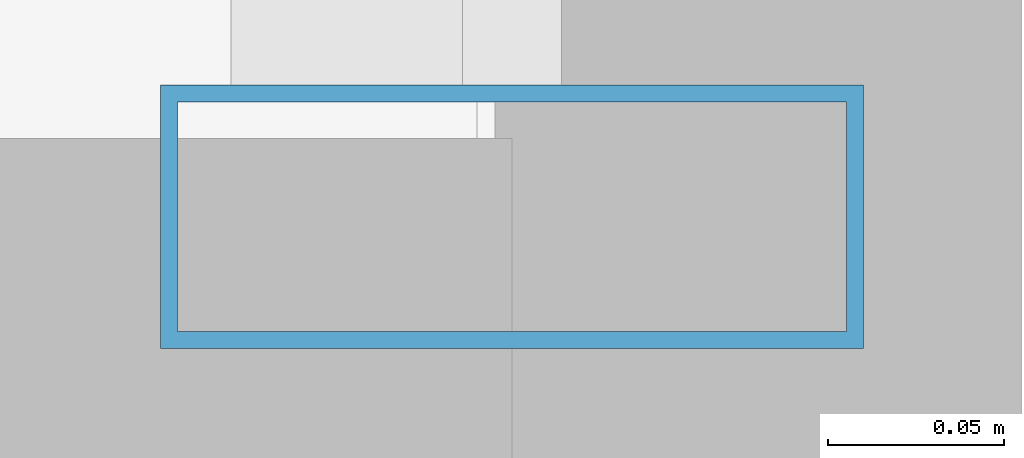
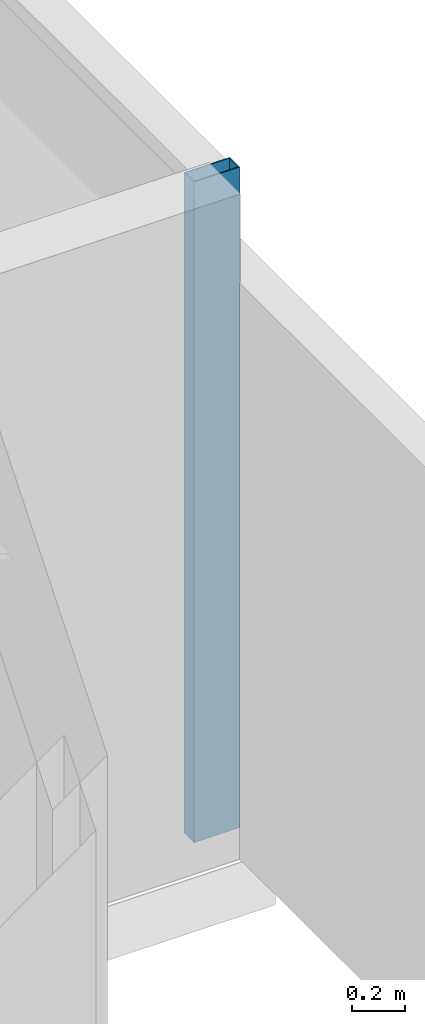
# One storey, part 11 of 32: 1 member, 1 element without a shape of its own.
"""IFC4 building model written with IfcOpenShell, lengths in metres."""

from ifc_helpers import new_model, si_unit, direction, frame, origin, origin_2d, place, context, subcontext, project, spatial, hollow_rectangle, extrude, source, transform, mapped, material, layer, layer_set, material_profile, profile_set, type_object, element, aggregate, save


model = new_model("IFC4")

# Units and contexts
model_context = context("Model", 3, precision=1e-05, world=origin(), true_north=direction((0.0, 1.0)))
body_context = subcontext(model_context, "Body", "Model", "MODEL_VIEW")
ifc_project = project(units=[si_unit("LENGTHUNIT", "METRE"), si_unit("AREAUNIT", "SQUARE_METRE"), si_unit("VOLUMEUNIT", "CUBIC_METRE"), si_unit("PLANEANGLEUNIT", "RADIAN"), si_unit("MASSUNIT", "GRAM", prefix="KILO")], contexts=[model_context])

# Site, building, storey
site_placement = place(None, origin())
site = spatial("IfcSite", under=ifc_project, at=site_placement, CompositionType="ELEMENT")
building_placement = place(site_placement, origin())
building = spatial("IfcBuilding", under=site, at=building_placement, Name="Zarnakvel Exchange Tower", CompositionType="ELEMENT")
storey_placement = place(building_placement, frame((0.0, 0.0, 27.39990234375)))
storey = spatial("IfcBuildingStorey", under=building, at=storey_placement, Name="L06", CompositionType="ELEMENT", Elevation=27.39990234375)

# Curtain wall, member
ifc_material = material(Name="Architectural Bronze Anodised Aluminium", Category="aluminium")
ifc_layer = layer(ifc_material, 0.199951171875)
ifc_layer_set = layer_set([ifc_layer], Name="Architectural Bronze Anodised Aluminium")
curtain_wall_type = type_object("IfcCurtainWallType", Name="CW-04", PredefinedType="NOTDEFINED", material=ifc_layer_set)
curtain_wall_placement = place(storey_placement, origin())
curtain_wall = element("IfcCurtainWall", 1, at=curtain_wall_placement, inside=storey, type_object=curtain_wall_type, Name="L06 Curtain Wall CW-L06-E1 (CW-04)", PredefinedType="NOTDEFINED")
ifc_material_profile = material_profile(ifc_material, hollow_rectangle(XDim=0.199951171875, YDim=0.074951171875, WallThickness=0.0048828125, at=origin_2d()))
ifc_profile_set = profile_set([ifc_material_profile], Name="Architectural Bronze Anodised Aluminium")
member_type = type_object("IfcMemberType", Name="CWM-04", PredefinedType="MULLION", material=ifc_profile_set)
shared_shape = source(origin(), body_context, "Body", "SweptSolid", [
    extrude(hollow_rectangle(XDim=0.199951171875, YDim=0.074951171875, WallThickness=0.0048828125, at=origin_2d()), origin(), (0.0, 0.0, 1.0), 3.05517578125),
])
member_placement = place(storey_placement, frame((28.4599609375, -14.96240234375, 0.0), z_axis=(0.0, 0.0, 1.0), x_axis=(-1.0, 0.0, 0.0)))
member = element("IfcMember", 2, at=member_placement, type_object=member_type, Name="CW-04 mullion 1", PredefinedType="MULLION", context=body_context, shape_type="MappedRepresentation", body=[
    mapped(shared_shape, transform((0.0, 0.0, 0.0), x_axis=(1.0, 0.0, 0.0), y_axis=(0.0, 1.0, 0.0), z_axis=(0.0, 0.0, 1.0), scale=1.0)),
])
aggregate(curtain_wall, [member])

save(model, "model.ifc")
